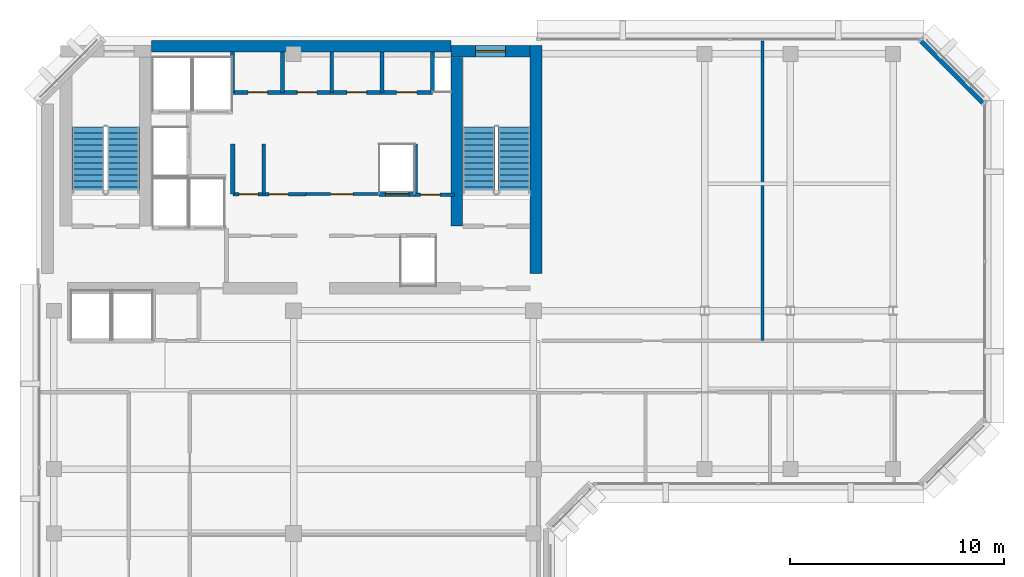
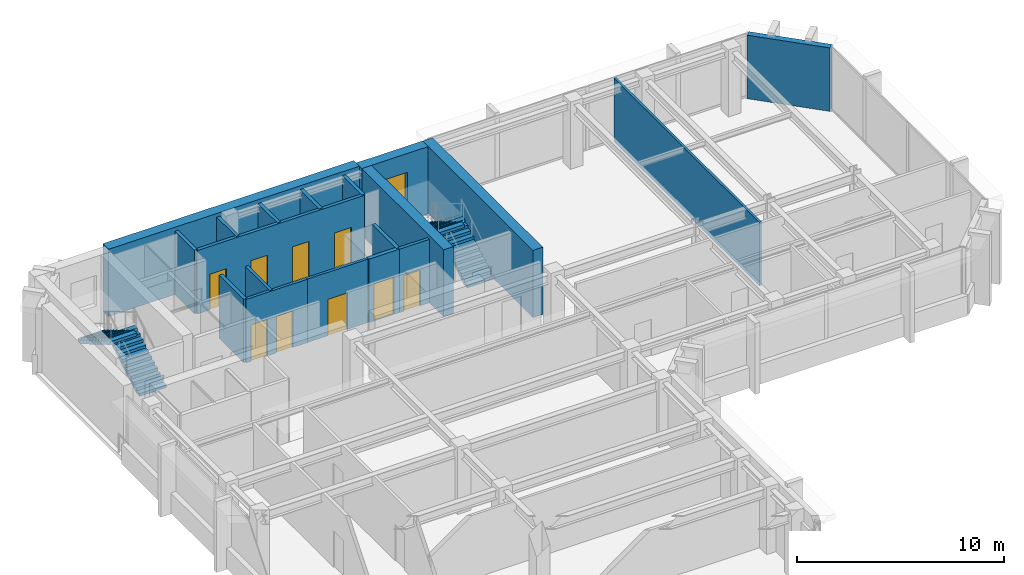
# One storey, part 8 of 12: 19 walls, 9 doors, 4 stair flights, 1 window, 10 openings, 2 elements without a shape of their own.
"""IFC4 building model written with IfcOpenShell, lengths in metres."""

from ifc_helpers import new_model, si_unit, direction, frame, frame_2d, origin, place, context, subcontext, project, spatial, polyline, rectangle, outline, extrude, material, layer, layer_set, type_object, element, fill, aggregate, save


model = new_model("IFC4")

# Units and contexts
model_context = context("Model", 3, precision=1e-05, world=origin(), true_north=direction((0.0, 1.0)))
body_context = subcontext(model_context, "Body", "Model", "MODEL_VIEW")
ifc_project = project(units=[si_unit("LENGTHUNIT", "METRE"), si_unit("AREAUNIT", "SQUARE_METRE"), si_unit("VOLUMEUNIT", "CUBIC_METRE"), si_unit("PLANEANGLEUNIT", "RADIAN"), si_unit("MASSUNIT", "GRAM", prefix="KILO")], contexts=[model_context])

# Site, building, storey
site_placement = place(None, origin())
site = spatial("IfcSite", under=ifc_project, at=site_placement, CompositionType="ELEMENT")
building_placement = place(site_placement, origin())
building = spatial("IfcBuilding", under=site, at=building_placement, Name="Kefirva Bronze Tower", CompositionType="ELEMENT")
storey_placement = place(building_placement, frame((0.0, 0.0, 280.169921875)))
storey = spatial("IfcBuildingStorey", under=building, at=storey_placement, Name="L68", CompositionType="ELEMENT", Elevation=280.169921875)

# Wall
ifc_material_1 = material(Name="Gypsum acoustic partition")
ifc_layer_1 = layer(ifc_material_1, 0.1298828125, Name="Gypsum acoustic partition")
ifc_layer_set_1 = layer_set([ifc_layer_1], Name="Gypsum acoustic partition")
wall_type_1 = type_object("IfcWallType", Name="Acoustic Office Partition 130mm", PredefinedType="PARTITIONING", material=ifc_layer_set_1)
wall_1_placement = place(storey_placement, frame((33.905029296875, 31.800048828125, 0.0), z_axis=(0.0, 0.0, 1.0), x_axis=(0.0, 1.0, 0.0)))
element("IfcWall", 1, at=wall_1_placement, inside=storey, type_object=wall_type_1, Name="L68 Partition W-L68-END1", PredefinedType="PARTITIONING", context=body_context, shape_type="SweptSolid", body=[
    extrude(rectangle(XDim=14.010009765625, YDim=0.1298828125, at=frame_2d((7.0048828125, 0.0))), origin(), (0.0, 0.0, 1.0), 3.739990234375),
])

# Wall, opening, door
ifc_layer_2 = layer(ifc_material_1, 0.14990234375, Name="Gypsum acoustic partition")
ifc_layer_set_2 = layer_set([ifc_layer_2], Name="Gypsum acoustic partition")
wall_type_2 = type_object("IfcWallType", Name="Executive Suite Partition 150mm", PredefinedType="PARTITIONING", material=ifc_layer_set_2)
wall_2_placement = place(storey_placement, frame((12.580078125, 38.64990234375, 0.0), z_axis=(0.0, 0.0, 1.0), x_axis=(1.0, 0.0, 0.0)))
wall_2 = element("IfcWall", 2, at=wall_2_placement, inside=storey, type_object=wall_type_2, Name="L68 Partition W-L68-RECMP2", PredefinedType="PARTITIONING", context=body_context, shape_type="SweptSolid", body=[
    extrude(rectangle(XDim=3.3798828125, YDim=0.14990234375, at=frame_2d((1.68994140625, 0.0))), origin(), (0.0, 0.0, 1.0), 3.739990234375),
])
opening_1_placement = place(wall_2_placement, frame((2.199951171875, 0.0, 0.0), z_axis=(0.0, 0.0, 1.0), x_axis=(-1.0, 0.0, 0.0)))
opening_1 = element("IfcOpeningElement", 3, at=opening_1_placement, cuts=wall_2, Name="Opening L68-D-RECMP2", PredefinedType="OPENING", context=body_context, shape_type="SweptSolid", body=[
    extrude(rectangle(XDim=1.050048828125, YDim=2.14990234375, at=frame_2d((0.52490234375, 1.074951171875))), frame((0.0, 0.0849609375, 0.0), z_axis=(0.0, -1.0, 0.0), x_axis=(1.0, 0.0, 0.0)), (0.0, 0.0, 1.0), 0.169921875),
])
ifc_material_2 = material(Name="Acoustic hardwood oak", Category="wood")
door_type_1 = type_object("IfcDoorType", Name="Executive & Boardroom Door 1050x2150", OperationType="NOTDEFINED", PredefinedType="DOOR", material=ifc_material_2)
door_1_placement = place(opening_1_placement, origin())
door_1 = element("IfcDoor", 4, at=door_1_placement, inside=storey, type_object=door_type_1, Name="Door L68-D-RECMP2", OperationType="SINGLE_SWING_RIGHT", OverallHeight=2.14990234375, OverallWidth=1.050048828125, PredefinedType="DOOR", context=body_context, shape_type="SweptSolid", body=[
    extrude(rectangle(XDim=1.050048828125, YDim=2.14990234375, at=frame_2d((0.52490234375, 1.074951171875))), frame((0.0, 0.02490234375, 0.0), z_axis=(0.0, -1.0, 0.0), x_axis=(1.0, 0.0, 0.0)), (0.0, 0.0, 1.0), 0.050048828125),
])
fill(opening_1, door_1)

# Walls
ifc_material_3 = material(Name="Gypsum fireboard shaftwall")
ifc_layer_3 = layer(ifc_material_3, 0.219970703125, Name="Gypsum fireboard shaftwall")
ifc_layer_set_3 = layer_set([ifc_layer_3], Name="Gypsum fireboard shaftwall")
wall_type_3 = type_object("IfcWallType", Name="Fire-Rated Shaft Enclosure Wall 220mm", PredefinedType="PARTITIONING", material=ifc_layer_set_3)
for number, where, z_axis, x_axis, name in (
    (5, (9.159912109375, 38.64990234375, 0.0), (0.0, 0.0, 1.0), (0.0, 1.0, 0.0), "L68 Partition W-L68-LP3W"),
    (6, (17.679931640625, 38.64990234375, 0.0), (0.0, 0.0, 1.0), (0.0, 1.0, 0.0), "L68 Partition W-L68-HP2E"),
):
    element("IfcWall", number, at=place(storey_placement, frame(where, z_axis=z_axis, x_axis=x_axis)), inside=storey, type_object=wall_type_3, Name=name, PredefinedType="PARTITIONING", context=body_context, shape_type="SweptSolid", body=[
        extrude(rectangle(XDim=2.35009765625, YDim=0.199951171875, at=frame_2d((1.175048828125, 0.0))), origin(), (0.0, 0.0, 1.0), 3.739990234375),
    ])

# Wall, opening, door
wall_3_placement = place(storey_placement, frame((15.97998046875, 38.64990234375, 0.0), z_axis=(0.0, 0.0, 1.0), x_axis=(1.0, 0.0, 0.0)))
wall_3 = element("IfcWall", 7, at=wall_3_placement, inside=storey, type_object=wall_type_3, Name="L68 Partition W-L68-HPN", PredefinedType="PARTITIONING", context=body_context, shape_type="SweptSolid", body=[
    extrude(rectangle(XDim=1.719970703125, YDim=0.219970703125, at=frame_2d((0.85986328125, 0.0))), origin(), (0.0, 0.0, 1.0), 3.739990234375),
])
opening_2_placement = place(wall_3_placement, frame((0.300048828125, 0.0, 0.0)))
opening_2 = element("IfcOpeningElement", 8, at=opening_2_placement, cuts=wall_3, Name="Opening L68-LD-HP2", PredefinedType="OPENING", context=body_context, shape_type="SweptSolid", body=[
    extrude(rectangle(XDim=1.10009765625, YDim=2.199951171875, at=frame_2d((0.550048828125, 1.10009765625))), frame((0.0, 0.1201171875, 0.0), z_axis=(0.0, -1.0, 0.0), x_axis=(1.0, 0.0, 0.0)), (0.0, 0.0, 1.0), 0.239990234375),
])
ifc_material_4 = material(Name="Stainless steel 316", Category="steel")
door_type_2 = type_object("IfcDoorType", Name="Passenger Lift Sliding Landing Door 1100x2200", OperationType="SLIDING_TO_LEFT", PredefinedType="DOOR", material=ifc_material_4)
door_2_placement = place(opening_2_placement, origin())
door_2 = element("IfcDoor", 9, at=door_2_placement, inside=storey, type_object=door_type_2, Name="Door L68-LD-HP2", OperationType="SLIDING_TO_LEFT", OverallHeight=2.199951171875, OverallWidth=1.10009765625, PredefinedType="DOOR", context=body_context, shape_type="SweptSolid", body=[
    extrude(rectangle(XDim=1.10009765625, YDim=2.199951171875, at=frame_2d((0.550048828125, 1.10009765625))), frame((0.0, 0.02490234375, 0.0), z_axis=(0.0, -1.0, 0.0), x_axis=(1.0, 0.0, 0.0)), (0.0, 0.0, 1.0), 0.050048828125),
])
fill(opening_2, door_2)

ifc_material_5 = material(Name="Gypsum fireboard barrier")
ifc_layer_4 = layer(ifc_material_5, 0.199951171875, Name="Gypsum fireboard barrier")
ifc_layer_set_4 = layer_set([ifc_layer_4], Name="Gypsum fireboard barrier")
wall_type_4 = type_object("IfcWallType", Name="Firefighting Lobby Barrier Wall 200mm", PredefinedType="PARTITIONING", material=ifc_layer_set_4)
wall_4_placement = place(storey_placement, frame((17.679931640625, 38.6201171875, 0.0), z_axis=(0.0, 0.0, 1.0), x_axis=(1.0, 0.0, 0.0)))
wall_4 = element("IfcWall", 10, at=wall_4_placement, inside=storey, type_object=wall_type_4, Name="L68 Partition W-L68-CPASS", PredefinedType="PARTITIONING", context=body_context, shape_type="SweptSolid", body=[
    extrude(rectangle(XDim=1.840087890625, YDim=0.179931640625, at=frame_2d((0.919921875, 0.0))), origin(), (0.0, 0.0, 1.0), 3.739990234375),
])
opening_3_placement = place(wall_4_placement, frame((0.239990234375, 0.0, 0.0)))
opening_3 = element("IfcOpeningElement", 11, at=opening_3_placement, cuts=wall_4, Name="Opening L68-D-CPAS", PredefinedType="OPENING", context=body_context, shape_type="SweptSolid", body=[
    extrude(rectangle(XDim=0.919921875, YDim=2.10009765625, at=frame_2d((0.4599609375, 1.050048828125))), frame((0.0, 0.10009765625, 0.0), z_axis=(0.0, -1.0, 0.0), x_axis=(1.0, 0.0, 0.0)), (0.0, 0.0, 1.0), 0.199951171875),
])
ifc_material_6 = material(Name="Moisture-resistant timber", Category="wood")
door_type_3 = type_object("IfcDoorType", Name="Accessible Sanitary & WC Door 920x2100", OperationType="NOTDEFINED", PredefinedType="DOOR", material=ifc_material_6)
door_3_placement = place(opening_3_placement, origin())
door_3 = element("IfcDoor", 12, at=door_3_placement, inside=storey, type_object=door_type_3, Name="Door L68-D-CPAS", OperationType="SINGLE_SWING_RIGHT", OverallHeight=2.10009765625, OverallWidth=0.919921875, PredefinedType="DOOR", context=body_context, shape_type="SweptSolid", body=[
    extrude(rectangle(XDim=0.919921875, YDim=2.10009765625, at=frame_2d((0.4599609375, 1.050048828125))), frame((0.0, 0.02490234375, 0.0), z_axis=(0.0, -1.0, 0.0), x_axis=(1.0, 0.0, 0.0)), (0.0, 0.0, 1.0), 0.050048828125),
])
fill(opening_3, door_3)

# Wall
ifc_material_7 = material(Name="Precast concrete C40/50", Category="concrete")
ifc_layer_5 = layer(ifc_material_7, 0.320068359375, Name="Precast concrete C40/50")
ifc_layer_set_5 = layer_set([ifc_layer_5], Name="Precast concrete C40/50")
wall_type_5 = type_object("IfcWallType", Name="Precast Insulated Exterior Wall 320mm", PredefinedType="SOLIDWALL", material=ifc_layer_set_5)
wall_5_placement = place(storey_placement, frame((44.248046875, 42.92578125, 0.0), z_axis=(0.0, 0.0, 1.0), x_axis=(-0.707136318428, 0.707077242712, 0.0)))
element("IfcWall", 13, at=wall_5_placement, inside=storey, type_object=wall_type_5, Name="L68 Exterior Facade Wall 8", PredefinedType="SOLIDWALL", context=body_context, shape_type="SweptSolid", body=[
    extrude(rectangle(XDim=4.132568359375, YDim=0.320068359375, at=frame_2d((2.06640625, 0.0))), origin(), (0.0, 0.0, 1.0), 3.739990234375),
])

# Wall, openings, doors
ifc_layer_6 = layer(ifc_material_1, 0.159912109375, Name="Gypsum acoustic partition")
ifc_layer_set_6 = layer_set([ifc_layer_6], Name="Gypsum acoustic partition")
wall_type_6 = type_object("IfcWallType", Name="Protected Corridor Partition 160mm", PredefinedType="PARTITIONING", material=ifc_layer_set_6)
wall_6_placement = place(storey_placement, frame((9.159912109375, 38.64990234375, 0.0), z_axis=(0.0, 0.0, 1.0), x_axis=(1.0, 0.0, 0.0)))
wall_6 = element("IfcWall", 14, at=wall_6_placement, inside=storey, type_object=wall_type_6, Name="L68 Partition W-L68-RECLP2", PredefinedType="PARTITIONING", context=body_context, shape_type="SweptSolid", body=[
    extrude(rectangle(XDim=3.420166015625, YDim=0.159912109375, at=frame_2d((1.7099609375, 0.0))), origin(), (0.0, 0.0, 1.0), 3.739990234375),
])
opening_4_placement = place(wall_6_placement, frame((1.179931640625, 0.0, 0.0), z_axis=(0.0, 0.0, 1.0), x_axis=(-1.0, 0.0, 0.0)))
opening_4 = element("IfcOpeningElement", 15, at=opening_4_placement, cuts=wall_6, Name="Opening L68-D-RECLP2A", PredefinedType="OPENING", context=body_context, shape_type="SweptSolid", body=[
    extrude(rectangle(XDim=0.89990234375, YDim=2.14990234375, at=frame_2d((0.449951171875, 1.074951171875))), frame((0.0, 0.08984375, 0.0), z_axis=(0.0, -1.0, 0.0), x_axis=(1.0, 0.0, 0.0)), (0.0, 0.0, 1.0), 0.179931640625),
])
opening_5_placement = place(wall_6_placement, frame((2.599853515625, 0.0, 0.0), z_axis=(0.0, 0.0, 1.0), x_axis=(-1.0, 0.0, 0.0)))
opening_5 = element("IfcOpeningElement", 16, at=opening_5_placement, cuts=wall_6, Name="Opening L68-D-RECLP2B", PredefinedType="OPENING", context=body_context, shape_type="SweptSolid", body=[
    extrude(rectangle(XDim=0.89990234375, YDim=2.14990234375, at=frame_2d((0.449951171875, 1.074951171875))), frame((0.0, 0.08984375, 0.0), z_axis=(0.0, -1.0, 0.0), x_axis=(1.0, 0.0, 0.0)), (0.0, 0.0, 1.0), 0.179931640625),
])
ifc_material_8 = material(Name="Painted galvanized steel", Category="steel")
door_type_4 = type_object("IfcDoorType", Name="Core Archive & Server Fire Door 900x2150 FD60S", OperationType="NOTDEFINED", PredefinedType="DOOR", material=ifc_material_8)
door_4_placement = place(opening_4_placement, origin())
door_4 = element("IfcDoor", 17, at=door_4_placement, inside=storey, type_object=door_type_4, Name="Door L68-D-RECLP2A", OperationType="SINGLE_SWING_LEFT", OverallHeight=2.14990234375, OverallWidth=0.89990234375, PredefinedType="DOOR", context=body_context, shape_type="SweptSolid", body=[
    extrude(rectangle(XDim=0.89990234375, YDim=2.14990234375, at=frame_2d((0.449951171875, 1.074951171875))), frame((0.0, 0.02490234375, 0.0), z_axis=(0.0, -1.0, 0.0), x_axis=(1.0, 0.0, 0.0)), (0.0, 0.0, 1.0), 0.050048828125),
])
fill(opening_4, door_4)
door_5_placement = place(opening_5_placement, origin())
door_5 = element("IfcDoor", 18, at=door_5_placement, inside=storey, type_object=door_type_4, Name="Door L68-D-RECLP2B", OperationType="SINGLE_SWING_RIGHT", OverallHeight=2.14990234375, OverallWidth=0.89990234375, PredefinedType="DOOR", context=body_context, shape_type="SweptSolid", body=[
    extrude(rectangle(XDim=0.89990234375, YDim=2.14990234375, at=frame_2d((0.449951171875, 1.074951171875))), frame((0.0, 0.02490234375, 0.0), z_axis=(0.0, -1.0, 0.0), x_axis=(1.0, 0.0, 0.0)), (0.0, 0.0, 1.0), 0.050048828125),
])
fill(opening_5, door_5)

# Walls
wall_7_placement = place(storey_placement, frame((10.60009765625, 38.64990234375, 0.0), z_axis=(0.0, 0.0, 1.0), x_axis=(0.0, 1.0, 0.0)))
element("IfcWall", 19, at=wall_7_placement, inside=storey, type_object=wall_type_6, Name="L68 Partition W-L68-RECLP2D", PredefinedType="PARTITIONING", context=body_context, shape_type="SweptSolid", body=[
    extrude(rectangle(XDim=2.35009765625, YDim=0.159912109375, at=frame_2d((1.175048828125, 0.0))), origin(), (0.0, 0.0, 1.0), 3.739990234375),
])
ifc_material_9 = material(Name="Concrete C50/60", Category="concrete")
ifc_layer_7 = layer(ifc_material_9, 0.550048828125, Name="Concrete C50/60")
ifc_layer_set_7 = layer_set([ifc_layer_7], Name="Concrete C50/60")
wall_type_7 = type_object("IfcWallType", Name="RC Rear Core Exterior Wall 550mm", PredefinedType="SHEAR", material=ifc_layer_set_7)
wall_8_placement = place(storey_placement, frame((5.360107421875, 45.550048828125, 0.0), z_axis=(0.0, 0.0, 1.0), x_axis=(1.0, 0.0, 0.0)))
element("IfcWall", 20, at=wall_8_placement, inside=storey, type_object=wall_type_7, Name="L68 Rear Core North Shear Wall", PredefinedType="SHEAR", context=body_context, shape_type="SweptSolid", body=[
    extrude(rectangle(XDim=13.97998046875, YDim=0.550048828125, at=frame_2d((6.989990234375, 0.0))), origin(), (0.0, 0.0, 1.0), 3.9599609375),
])

# Wall, opening, window
wall_9_placement = place(storey_placement, frame((19.35009765625, 45.320068359375, 0.0), z_axis=(0.0, 0.0, 1.0), x_axis=(1.0, 0.0, 0.0)))
wall_9 = element("IfcWall", 21, at=wall_9_placement, inside=storey, type_object=wall_type_7, Name="L68 Stair 2 North Shear Wall", PredefinedType="SHEAR", context=body_context, shape_type="SweptSolid", body=[
    extrude(rectangle(XDim=3.68994140625, YDim=0.550048828125, at=frame_2d((1.844970703125, 0.0))), origin(), (0.0, 0.0, 1.0), 3.9599609375),
])
opening_6_placement = place(wall_9_placement, frame((1.14990234375, 0.0, 1.050048828125)))
opening_6 = element("IfcOpeningElement", 22, at=opening_6_placement, cuts=wall_9, Name="Opening WN-03", PredefinedType="OPENING", context=body_context, shape_type="SweptSolid", body=[
    extrude(rectangle(XDim=1.39990234375, YDim=1.800048828125, at=frame_2d((0.699951171875, 0.89990234375))), frame((0.0, 0.28515625, 0.0), z_axis=(0.0, -1.0, 0.0), x_axis=(1.0, 0.0, 0.0)), (0.0, 0.0, 1.0), 0.570068359375),
])
ifc_material_10 = material(Name="Laminated low-E double glazing", Category="glass")
window_type = type_object("IfcWindowType", Name="Rear-Core Stair Daylight Window 1400x1800", PartitioningType="SINGLE_PANEL", PredefinedType="WINDOW", material=ifc_material_10)
window_placement = place(opening_6_placement, origin())
window = element("IfcWindow", 23, at=window_placement, inside=storey, type_object=window_type, Name="L68 Stair 2 Daylight Window", OverallHeight=1.800048828125, OverallWidth=1.39990234375, PartitioningType="SINGLE_PANEL", PredefinedType="WINDOW", context=body_context, shape_type="SweptSolid", body=[
    extrude(rectangle(XDim=1.39990234375, YDim=1.800048828125, at=frame_2d((0.699951171875, 0.89990234375))), frame((0.0, 0.030029296875, 0.0), z_axis=(0.0, -1.0, 0.0), x_axis=(1.0, 0.0, 0.0)), (0.0, 0.0, 1.0), 0.06005859375),
])
fill(opening_6, window)

# Walls
ifc_layer_8 = layer(ifc_material_9, 0.550048828125, Name="Concrete C50/60")
ifc_layer_set_8 = layer_set([ifc_layer_8], Name="Concrete C50/60")
wall_type_8 = type_object("IfcWallType", Name="RC Rear Core Interior Wall 550mm", PredefinedType="SHEAR", material=ifc_layer_set_8)
wall_10_placement = place(storey_placement, frame((23.324951171875, 34.949951171875, 0.0), z_axis=(0.0, 0.0, 1.0), x_axis=(0.0, 1.0, 0.0)))
element("IfcWall", 24, at=wall_10_placement, inside=storey, type_object=wall_type_8, Name="L68 Rear Core East Shear Wall", PredefinedType="SHEAR", context=body_context, shape_type="SweptSolid", body=[
    extrude(rectangle(XDim=10.64013671875, YDim=0.550048828125, at=frame_2d((5.320068359375, 0.0))), origin(), (0.0, 0.0, 1.0), 3.9599609375),
])
wall_11_placement = place(storey_placement, frame((19.6201171875, 37.14990234375, 0.0), z_axis=(0.0, 0.0, 1.0), x_axis=(0.0, 1.0, 0.0)))
element("IfcWall", 25, at=wall_11_placement, inside=storey, type_object=wall_type_8, Name="L68 Stair 2 West Shear Wall", PredefinedType="SHEAR", context=body_context, shape_type="SweptSolid", body=[
    extrude(rectangle(XDim=7.89013671875, YDim=0.550048828125, at=frame_2d((3.945068359375, 0.0))), origin(), (0.0, 0.0, 1.0), 3.9599609375),
])

# Wall, openings, doors
ifc_material_11 = material(Name="Moisture-resistant partition")
ifc_layer_9 = layer(ifc_material_11, 0.179931640625, Name="Moisture-resistant partition")
ifc_layer_set_9 = layer_set([ifc_layer_9], Name="Moisture-resistant partition")
wall_type_9 = type_object("IfcWallType", Name="Sanitary Plumbing Chase Wall 180mm", PredefinedType="PLUMBINGWALL", material=ifc_layer_set_9)
wall_12_placement = place(storey_placement, frame((9.14990234375, 43.39990234375, 0.0), z_axis=(0.0, 0.0, 1.0), x_axis=(1.0, 0.0, 0.0)))
wall_12 = element("IfcWall", 26, at=wall_12_placement, inside=storey, type_object=wall_type_9, Name="L68 Partition W-L68-SVCS", PredefinedType="PLUMBINGWALL", context=body_context, shape_type="SweptSolid", body=[
    extrude(rectangle(XDim=9.330078125, YDim=0.179931640625, at=frame_2d((4.6650390625, 0.0))), origin(), (0.0, 0.0, 1.0), 3.739990234375),
])
opening_7_placement = place(wall_12_placement, frame((0.719970703125, 0.0, 0.0)))
opening_7 = element("IfcOpeningElement", 27, at=opening_7_placement, cuts=wall_12, Name="Opening L68-D-CSVC1", PredefinedType="OPENING", context=body_context, shape_type="SweptSolid", body=[
    extrude(rectangle(XDim=0.919921875, YDim=2.10009765625, at=frame_2d((0.4599609375, 1.050048828125))), frame((0.0, 0.10009765625, 0.0), z_axis=(0.0, -1.0, 0.0), x_axis=(1.0, 0.0, 0.0)), (0.0, 0.0, 1.0), 0.199951171875),
])
opening_8_placement = place(wall_12_placement, frame((3.02001953125, 0.0, 0.0)))
opening_8 = element("IfcOpeningElement", 28, at=opening_8_placement, cuts=wall_12, Name="Opening L68-D-CSVC2", PredefinedType="OPENING", context=body_context, shape_type="SweptSolid", body=[
    extrude(rectangle(XDim=0.919921875, YDim=2.10009765625, at=frame_2d((0.4599609375, 1.050048828125))), frame((0.0, 0.10009765625, 0.0), z_axis=(0.0, -1.0, 0.0), x_axis=(1.0, 0.0, 0.0)), (0.0, 0.0, 1.0), 0.199951171875),
])
opening_9_placement = place(wall_12_placement, frame((5.340087890625, 0.0, 0.0)))
opening_9 = element("IfcOpeningElement", 29, at=opening_9_placement, cuts=wall_12, Name="Opening L68-D-CSVC3", PredefinedType="OPENING", context=body_context, shape_type="SweptSolid", body=[
    extrude(rectangle(XDim=0.919921875, YDim=2.10009765625, at=frame_2d((0.4599609375, 1.050048828125))), frame((0.0, 0.10009765625, 0.0), z_axis=(0.0, -1.0, 0.0), x_axis=(1.0, 0.0, 0.0)), (0.0, 0.0, 1.0), 0.199951171875),
])
opening_10_placement = place(wall_12_placement, frame((7.659912109375, 0.0, 0.0)))
opening_10 = element("IfcOpeningElement", 30, at=opening_10_placement, cuts=wall_12, Name="Opening L68-D-CSVC4", PredefinedType="OPENING", context=body_context, shape_type="SweptSolid", body=[
    extrude(rectangle(XDim=0.949951171875, YDim=2.10009765625, at=frame_2d((0.47509765625, 1.050048828125))), frame((0.0, 0.10009765625, 0.0), z_axis=(0.0, -1.0, 0.0), x_axis=(1.0, 0.0, 0.0)), (0.0, 0.0, 1.0), 0.199951171875),
])
door_6_placement = place(opening_7_placement, origin())
door_6 = element("IfcDoor", 31, at=door_6_placement, inside=storey, type_object=door_type_3, Name="Door L68-D-CSVC1", OperationType="SINGLE_SWING_LEFT", OverallHeight=2.10009765625, OverallWidth=0.919921875, PredefinedType="DOOR", context=body_context, shape_type="SweptSolid", body=[
    extrude(rectangle(XDim=0.919921875, YDim=2.10009765625, at=frame_2d((0.4599609375, 1.050048828125))), frame((0.0, 0.02490234375, 0.0), z_axis=(0.0, -1.0, 0.0), x_axis=(1.0, 0.0, 0.0)), (0.0, 0.0, 1.0), 0.050048828125),
])
fill(opening_7, door_6)
door_7_placement = place(opening_8_placement, origin())
door_7 = element("IfcDoor", 32, at=door_7_placement, inside=storey, type_object=door_type_3, Name="Door L68-D-CSVC2", OperationType="SINGLE_SWING_RIGHT", OverallHeight=2.10009765625, OverallWidth=0.919921875, PredefinedType="DOOR", context=body_context, shape_type="SweptSolid", body=[
    extrude(rectangle(XDim=0.919921875, YDim=2.10009765625, at=frame_2d((0.4599609375, 1.050048828125))), frame((0.0, 0.02490234375, 0.0), z_axis=(0.0, -1.0, 0.0), x_axis=(1.0, 0.0, 0.0)), (0.0, 0.0, 1.0), 0.050048828125),
])
fill(opening_8, door_7)
door_8_placement = place(opening_9_placement, origin())
door_8 = element("IfcDoor", 33, at=door_8_placement, inside=storey, type_object=door_type_3, Name="Door L68-D-CSVC3", OperationType="SINGLE_SWING_LEFT", OverallHeight=2.10009765625, OverallWidth=0.919921875, PredefinedType="DOOR", context=body_context, shape_type="SweptSolid", body=[
    extrude(rectangle(XDim=0.919921875, YDim=2.10009765625, at=frame_2d((0.4599609375, 1.050048828125))), frame((0.0, 0.02490234375, 0.0), z_axis=(0.0, -1.0, 0.0), x_axis=(1.0, 0.0, 0.0)), (0.0, 0.0, 1.0), 0.050048828125),
])
fill(opening_9, door_8)
door_type_5 = type_object("IfcDoorType", Name="Riser & Plant Shaft Fire Door 950x2100 FD60S", OperationType="NOTDEFINED", PredefinedType="DOOR", material=ifc_material_8)
door_9_placement = place(opening_10_placement, origin())
door_9 = element("IfcDoor", 34, at=door_9_placement, inside=storey, type_object=door_type_5, Name="Door L68-D-CSVC4", OperationType="SINGLE_SWING_RIGHT", OverallHeight=2.10009765625, OverallWidth=0.949951171875, PredefinedType="DOOR", context=body_context, shape_type="SweptSolid", body=[
    extrude(rectangle(XDim=0.949951171875, YDim=2.10009765625, at=frame_2d((0.47509765625, 1.050048828125))), frame((0.0, 0.02490234375, 0.0), z_axis=(0.0, -1.0, 0.0), x_axis=(1.0, 0.0, 0.0)), (0.0, 0.0, 1.0), 0.050048828125),
])
fill(opening_10, door_9)

# Walls
for number, where, z_axis, x_axis, name in (
    (35, (9.14990234375, 43.39990234375, 0.0), (0.0, 0.0, 1.0), (0.0, 1.0, 0.0), "L68 Partition W-L68-SVCW"),
    (36, (18.47998046875, 43.39990234375, 0.0), (0.0, 0.0, 1.0), (0.0, 1.0, 0.0), "L68 Partition W-L68-SVCE"),
    (37, (11.47998046875, 43.39990234375, 0.0), (0.0, 0.0, 1.0), (0.0, 1.0, 0.0), "L68 Partition W-L68-CSVD-1"),
    (38, (13.780029296875, 43.39990234375, 0.0), (0.0, 0.0, 1.0), (0.0, 1.0, 0.0), "L68 Partition W-L68-CSVD-2"),
    (39, (16.1201171875, 43.39990234375, 0.0), (0.0, 0.0, 1.0), (0.0, 1.0, 0.0), "L68 Partition W-L68-CSVD-3"),
):
    element("IfcWall", number, at=place(storey_placement, frame(where, z_axis=z_axis, x_axis=x_axis)), inside=storey, type_object=wall_type_9, Name=name, PredefinedType="PLUMBINGWALL", context=body_context, shape_type="SweptSolid", body=[
        extrude(rectangle(XDim=1.880126953125, YDim=0.179931640625, at=frame_2d((0.93994140625, 0.0))), origin(), (0.0, 0.0, 1.0), 3.739990234375),
    ])

# Stair, stair flights
ifc_material_12 = material(Name="Concrete C40/50", Category="concrete")
stair_type = type_object("IfcStairType", Name="RC Dogleg Protected Stair 24R", PredefinedType="HALF_TURN_STAIR", material=ifc_material_12)
stair_1_placement = place(storey_placement, origin())
stair_1 = element("IfcStair", 40, at=stair_1_placement, inside=storey, type_object=stair_type, Name="L68 Protected Exit Stair 1", PredefinedType="HALF_TURN_STAIR")
stair_flight_type = type_object("IfcStairFlightType", Name="RC Straight Stair Flight 24R", PredefinedType="STRAIGHT", material=ifc_material_12)
stair_flight_1_placement = place(storey_placement, frame((4.050048828125, 38.699951171875, 0.0), z_axis=(0.0, 0.0, 1.0), x_axis=(0.0, 1.0, 0.0)))
stair_flight_1 = element("IfcStairFlight", 41, at=stair_flight_1_placement, type_object=stair_flight_type, Name="ST-1 flight 1", NumberOfRisers=12, NumberOfTreads=11, PredefinedType="STRAIGHT", RiserHeight=0.165, TreadLength=0.28, context=body_context, shape_type="SweptSolid", body=[
    extrude(outline(polyline([(0.0, 0.0), (0.0, 0.1650390625), (0.280029296875, 0.1650390625), (0.280029296875, 0.330078125), (0.56005859375, 0.330078125), (0.56005859375, 0.4951171875), (0.840087890625, 0.4951171875), (0.840087890625, 0.659912109375), (1.1201171875, 0.659912109375), (1.1201171875, 0.824951171875), (1.39990234375, 0.824951171875), (1.39990234375, 0.989990234375), (1.679931640625, 0.989990234375), (1.679931640625, 1.155029296875), (1.9599609375, 1.155029296875), (1.9599609375, 1.320068359375), (2.239990234375, 1.320068359375), (2.239990234375, 1.485107421875), (2.52001953125, 1.485107421875), (2.52001953125, 1.64990234375), (2.800048828125, 1.64990234375), (2.800048828125, 1.81494140625), (3.080078125, 1.81494140625), (3.080078125, 1.97998046875), (3.080078125, 1.64111328125), (0.295166015625, 0.0), (0.0, 0.0)])), frame((0.0, 0.75, 0.0), z_axis=(0.0, -1.0, 0.0), x_axis=(1.0, 0.0, 0.0)), (0.0, 0.0, 1.0), 1.5),
])
stair_flight_2_placement = place(storey_placement, frame((2.39990234375, 41.780029296875, 1.97998046875), z_axis=(0.0, 0.0, 1.0), x_axis=(0.0, -1.0, 0.0)))
stair_flight_2 = element("IfcStairFlight", 42, at=stair_flight_2_placement, type_object=stair_flight_type, Name="ST-1 flight 2", NumberOfRisers=12, NumberOfTreads=11, PredefinedType="STRAIGHT", RiserHeight=0.165, TreadLength=0.28, context=body_context, shape_type="SweptSolid", body=[
    extrude(outline(polyline([(0.0, 0.0), (0.0, 0.1650390625), (0.280029296875, 0.1650390625), (0.280029296875, 0.330078125), (0.56005859375, 0.330078125), (0.56005859375, 0.4951171875), (0.840087890625, 0.4951171875), (0.840087890625, 0.659912109375), (1.1201171875, 0.659912109375), (1.1201171875, 0.824951171875), (1.39990234375, 0.824951171875), (1.39990234375, 0.989990234375), (1.679931640625, 0.989990234375), (1.679931640625, 1.155029296875), (1.9599609375, 1.155029296875), (1.9599609375, 1.320068359375), (2.239990234375, 1.320068359375), (2.239990234375, 1.485107421875), (2.52001953125, 1.485107421875), (2.52001953125, 1.64990234375), (2.800048828125, 1.64990234375), (2.800048828125, 1.81494140625), (3.080078125, 1.81494140625), (3.080078125, 1.97998046875), (3.080078125, 1.64111328125), (0.295166015625, 0.0), (0.0, 0.0)])), frame((0.0, 0.75, 0.0), z_axis=(0.0, -1.0, 0.0), x_axis=(1.0, 0.0, 0.0)), (0.0, 0.0, 1.0), 1.5),
])
aggregate(stair_1, [stair_flight_1, stair_flight_2])

stair_2_placement = place(storey_placement, origin())
stair_2 = element("IfcStair", 43, at=stair_2_placement, inside=storey, type_object=stair_type, Name="L68 Protected Exit Stair 2", PredefinedType="HALF_TURN_STAIR")
stair_flight_3_placement = place(storey_placement, frame((22.300048828125, 38.699951171875, 0.0), z_axis=(0.0, 0.0, 1.0), x_axis=(0.0, 1.0, 0.0)))
stair_flight_3 = element("IfcStairFlight", 44, at=stair_flight_3_placement, type_object=stair_flight_type, Name="ST-2 flight 1", NumberOfRisers=12, NumberOfTreads=11, PredefinedType="STRAIGHT", RiserHeight=0.165, TreadLength=0.28, context=body_context, shape_type="SweptSolid", body=[
    extrude(outline(polyline([(0.0, 0.0), (0.0, 0.1650390625), (0.280029296875, 0.1650390625), (0.280029296875, 0.330078125), (0.56005859375, 0.330078125), (0.56005859375, 0.4951171875), (0.840087890625, 0.4951171875), (0.840087890625, 0.659912109375), (1.1201171875, 0.659912109375), (1.1201171875, 0.824951171875), (1.39990234375, 0.824951171875), (1.39990234375, 0.989990234375), (1.679931640625, 0.989990234375), (1.679931640625, 1.155029296875), (1.9599609375, 1.155029296875), (1.9599609375, 1.320068359375), (2.239990234375, 1.320068359375), (2.239990234375, 1.485107421875), (2.52001953125, 1.485107421875), (2.52001953125, 1.64990234375), (2.800048828125, 1.64990234375), (2.800048828125, 1.81494140625), (3.080078125, 1.81494140625), (3.080078125, 1.97998046875), (3.080078125, 1.64111328125), (0.295166015625, 0.0), (0.0, 0.0)])), frame((0.0, 0.75, 0.0), z_axis=(0.0, -1.0, 0.0), x_axis=(1.0, 0.0, 0.0)), (0.0, 0.0, 1.0), 1.5),
])
stair_flight_4_placement = place(storey_placement, frame((20.64990234375, 41.780029296875, 1.97998046875), z_axis=(0.0, 0.0, 1.0), x_axis=(0.0, -1.0, 0.0)))
stair_flight_4 = element("IfcStairFlight", 45, at=stair_flight_4_placement, type_object=stair_flight_type, Name="ST-2 flight 2", NumberOfRisers=12, NumberOfTreads=11, PredefinedType="STRAIGHT", RiserHeight=0.165, TreadLength=0.28, context=body_context, shape_type="SweptSolid", body=[
    extrude(outline(polyline([(0.0, 0.0), (0.0, 0.1650390625), (0.280029296875, 0.1650390625), (0.280029296875, 0.330078125), (0.56005859375, 0.330078125), (0.56005859375, 0.4951171875), (0.840087890625, 0.4951171875), (0.840087890625, 0.659912109375), (1.1201171875, 0.659912109375), (1.1201171875, 0.824951171875), (1.39990234375, 0.824951171875), (1.39990234375, 0.989990234375), (1.679931640625, 0.989990234375), (1.679931640625, 1.155029296875), (1.9599609375, 1.155029296875), (1.9599609375, 1.320068359375), (2.239990234375, 1.320068359375), (2.239990234375, 1.485107421875), (2.52001953125, 1.485107421875), (2.52001953125, 1.64990234375), (2.800048828125, 1.64990234375), (2.800048828125, 1.81494140625), (3.080078125, 1.81494140625), (3.080078125, 1.97998046875), (3.080078125, 1.64111328125), (0.295166015625, 0.0), (0.0, 0.0)])), frame((0.0, 0.75, 0.0), z_axis=(0.0, -1.0, 0.0), x_axis=(1.0, 0.0, 0.0)), (0.0, 0.0, 1.0), 1.5),
])
aggregate(stair_2, [stair_flight_3, stair_flight_4])

save(model, "model.ifc")
